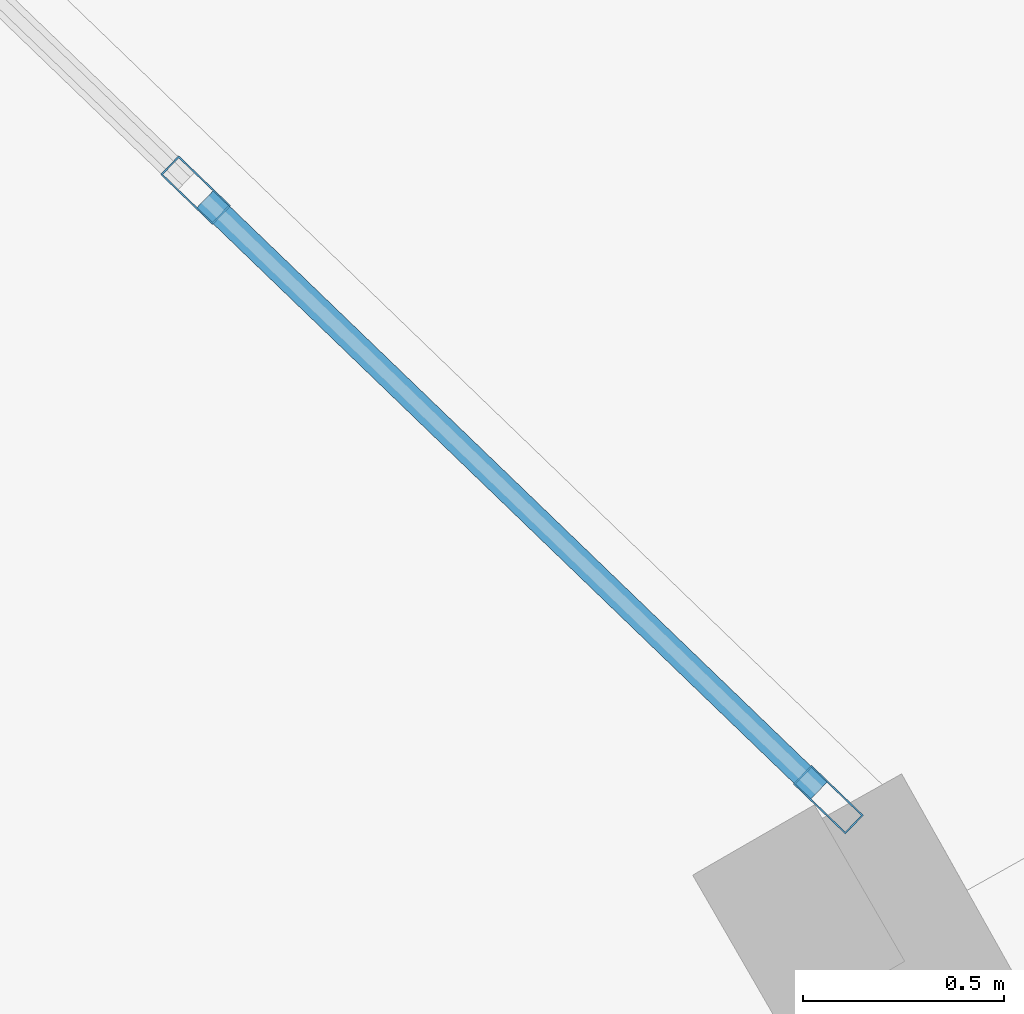
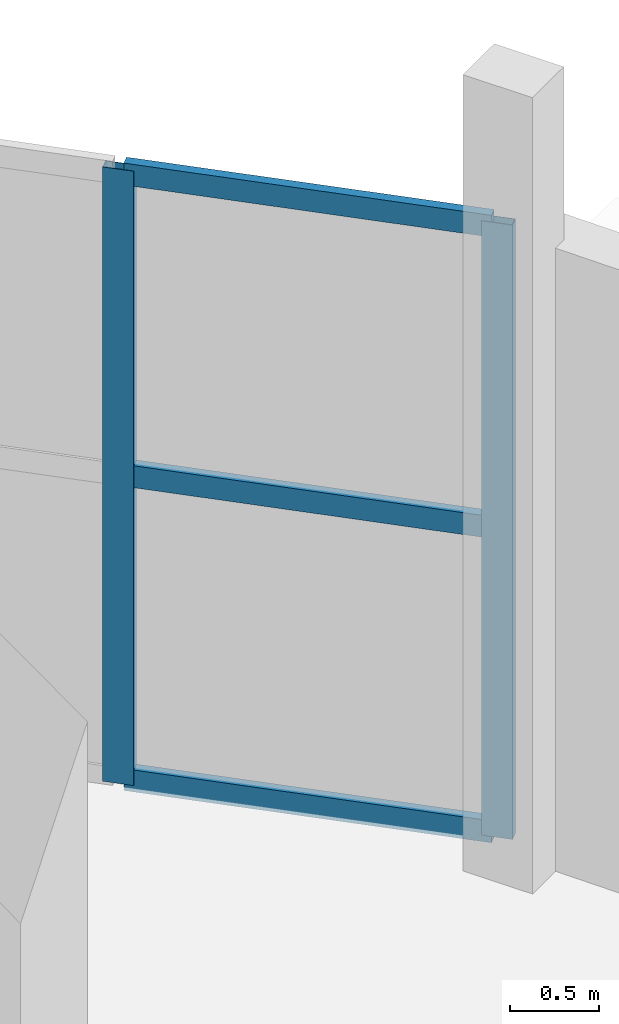
# One storey, part 69 of 123: 5 members, 1 element without a shape of its own.
"""IFC4 building model written with IfcOpenShell, lengths in metres."""

from ifc_helpers import new_model, si_unit, direction, frame, origin, origin_2d, place, context, subcontext, project, spatial, hollow_rectangle, extrude, material, layer, layer_set, material_profile, profile_set, type_object, element, aggregate, save


model = new_model("IFC4")

# Units and contexts
model_context = context("Model", 3, precision=1e-05, world=origin(), true_north=direction((0.0, 1.0)))
body_context = subcontext(model_context, "Body", "Model", "MODEL_VIEW")
ifc_project = project(units=[si_unit("LENGTHUNIT", "METRE"), si_unit("AREAUNIT", "SQUARE_METRE"), si_unit("VOLUMEUNIT", "CUBIC_METRE"), si_unit("PLANEANGLEUNIT", "RADIAN"), si_unit("MASSUNIT", "GRAM", prefix="KILO")], contexts=[model_context])

# Site, building, storey
site_placement = place(None, origin())
site = spatial("IfcSite", under=ifc_project, at=site_placement, CompositionType="ELEMENT")
building_placement = place(site_placement, origin())
building = spatial("IfcBuilding", under=site, at=building_placement, Name="Kalgoora Escarpment Arena", CompositionType="ELEMENT")
storey_placement = place(building_placement, frame((0.0, 0.0, 9.89990234375)))
storey = spatial("IfcBuildingStorey", under=building, at=storey_placement, Name="L02", CompositionType="ELEMENT", Elevation=9.89990234375)

# Curtain wall, members
ifc_material_1 = material(Name=" Champagne anodised aluminium & double-glazed low-E", Category="aluminium")
ifc_layer = layer(ifc_material_1, 0.157958984375)
ifc_layer_set = layer_set([ifc_layer], Name="CW-UNIT-07")
curtain_wall_type = type_object("IfcCurtainWallType", Name="CW-UNIT-07", PredefinedType="NOTDEFINED", material=ifc_layer_set)
curtain_wall_placement = place(storey_placement, origin())
curtain_wall = element("IfcCurtainWall", 1, at=curtain_wall_placement, inside=storey, type_object=curtain_wall_type, Name="L02 unitised facade curtain wall 086", PredefinedType="NOTDEFINED")
ifc_material_2 = material(Name="Anodised aluminium 6063-T6", Category="aluminium")
ifc_material_profile_1 = material_profile(ifc_material_2, hollow_rectangle(XDim=0.06494140625, YDim=0.179931640625, WallThickness=0.00390625, at=origin_2d()))
ifc_profile_set_1 = profile_set([ifc_material_profile_1], Name="Anodised aluminium 6063-T6")
member_type_1 = type_object("IfcMemberType", Name="MEM-CW-MULL-180", PredefinedType="MULLION", material=ifc_profile_set_1)
member_1_placement = place(storey_placement, frame((162.25830078125, 96.214111328125, 0.02001953125), z_axis=(0.0, 0.0, 1.0), x_axis=(0.693760188606, 0.720206082108, 0.0)))
member_1 = element("IfcMember", 2, at=member_1_placement, type_object=member_type_1, Name="CW-07 mullion 2", PredefinedType="MULLION", context=body_context, shape_type="SweptSolid", body=[
    extrude(hollow_rectangle(XDim=0.06494140625, YDim=0.179931640625, WallThickness=0.00390625, at=origin_2d()), origin(), (0.0, 0.0, 1.0), 4.205078125),
])
member_2_placement = place(storey_placement, frame((163.8349609375, 94.6953125, 0.02001953125), z_axis=(0.0, 0.0, 1.0), x_axis=(0.693760188606, 0.720206082108, 0.0)))
member_2 = element("IfcMember", 3, at=member_2_placement, type_object=member_type_1, Name="CW-07 mullion 3", PredefinedType="MULLION", context=body_context, shape_type="SweptSolid", body=[
    extrude(hollow_rectangle(XDim=0.06494140625, YDim=0.179931640625, WallThickness=0.00390625, at=origin_2d()), origin(), (0.0, 0.0, 1.0), 4.205078125),
])
ifc_material_3 = material(Name="Anodised aluminium 6063-T6", Category="aluminium")
ifc_material_profile_2 = material_profile(ifc_material_3, hollow_rectangle(XDim=0.06005859375, YDim=0.14990234375, WallThickness=0.00341796875, at=origin_2d()))
ifc_profile_set_2 = profile_set([ifc_material_profile_2], Name="Anodised aluminium 6063-T6")
member_type_2 = type_object("IfcMemberType", Name="MEM-CW-TRAN-150", PredefinedType="USERDEFINED", material=ifc_profile_set_2)
member_3_placement = place(storey_placement, frame((162.28173828125, 96.19140625, 0.050048828125), z_axis=(0.720201092814, -0.693765368053, 0.0), x_axis=(0.693765368053, 0.720201092814, 0.0)))
member_3 = element("IfcMember", 4, at=member_3_placement, type_object=member_type_2, Name="CW-07 transom 2.1", ObjectType="TRANSOM", PredefinedType="USERDEFINED", context=body_context, shape_type="SweptSolid", body=[
    extrude(hollow_rectangle(XDim=0.06005859375, YDim=0.14990234375, WallThickness=0.00341796875, at=origin_2d()), origin(), (0.0, 0.0, 1.0), 2.1240234375),
])
member_4_placement = place(storey_placement, frame((162.28173828125, 96.19140625, 2.132568359375), z_axis=(0.720201092814, -0.693765368053, 0.0), x_axis=(0.693765368053, 0.720201092814, 0.0)))
member_4 = element("IfcMember", 5, at=member_4_placement, type_object=member_type_2, Name="CW-07 transom 2.2", ObjectType="TRANSOM", PredefinedType="USERDEFINED", context=body_context, shape_type="SweptSolid", body=[
    extrude(hollow_rectangle(XDim=0.06005859375, YDim=0.14990234375, WallThickness=0.00341796875, at=origin_2d()), origin(), (0.0, 0.0, 1.0), 2.1240234375),
])
member_5_placement = place(storey_placement, frame((162.28173828125, 96.19140625, 4.195068359375), z_axis=(0.720201092814, -0.693765368053, 0.0), x_axis=(0.693765368053, 0.720201092814, 0.0)))
member_5 = element("IfcMember", 6, at=member_5_placement, type_object=member_type_2, Name="CW-07 transom 2.3", ObjectType="TRANSOM", PredefinedType="USERDEFINED", context=body_context, shape_type="SweptSolid", body=[
    extrude(hollow_rectangle(XDim=0.06005859375, YDim=0.14990234375, WallThickness=0.00341796875, at=origin_2d()), origin(), (0.0, 0.0, 1.0), 2.1240234375),
])
aggregate(curtain_wall, [member_1, member_2, member_3, member_4, member_5])

save(model, "model.ifc")
